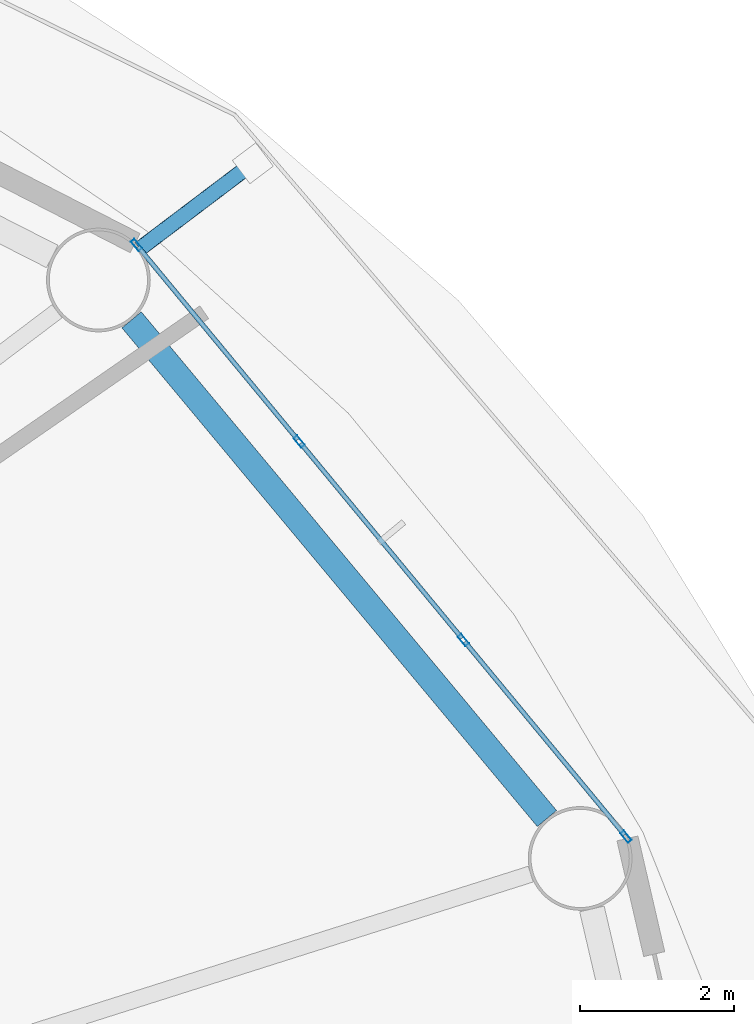
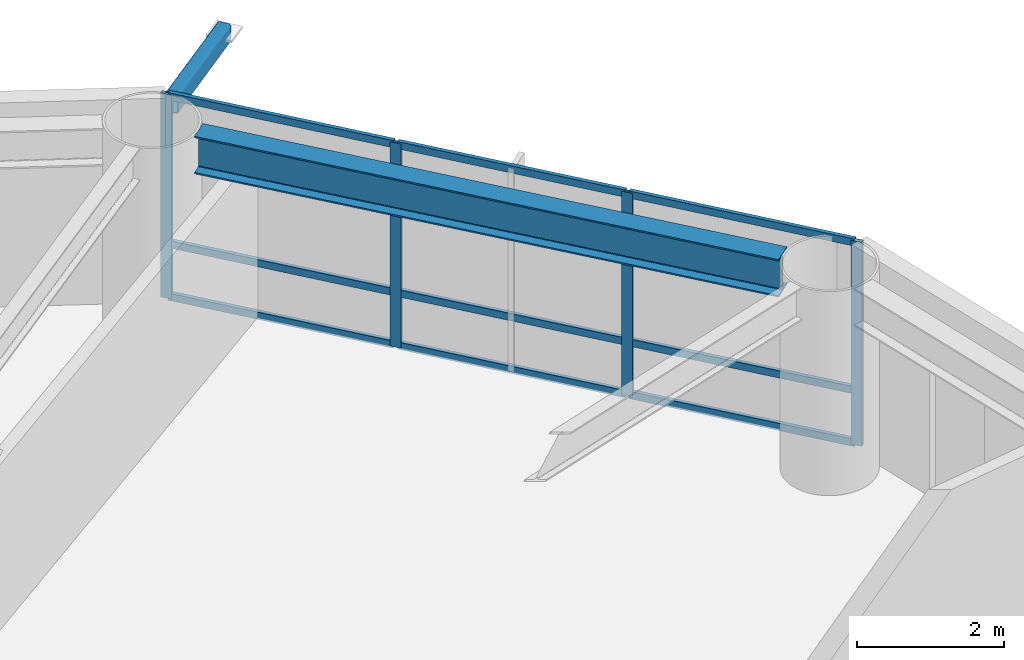
# One storey, part 14 of 26: 14 members, 1 beam, 1 element without a shape of its own.
"""IFC4 building model written with IfcOpenShell, lengths in metres."""

from ifc_helpers import new_model, si_unit, direction, frame, origin, origin_2d, place, context, subcontext, project, spatial, hollow_rectangle, i_section, extrude, material, layer, layer_set, material_profile, profile_set, type_object, element, aggregate, save


model = new_model("IFC4")

# Units and contexts
model_context = context("Model", 3, precision=1e-05, world=origin(), true_north=direction((0.0, 1.0)))
body_context = subcontext(model_context, "Body", "Model", "MODEL_VIEW")
ifc_project = project(units=[si_unit("LENGTHUNIT", "METRE"), si_unit("AREAUNIT", "SQUARE_METRE"), si_unit("VOLUMEUNIT", "CUBIC_METRE"), si_unit("PLANEANGLEUNIT", "RADIAN"), si_unit("MASSUNIT", "GRAM", prefix="KILO")], contexts=[model_context])

# Site, building, storey
site_placement = place(None, origin())
site = spatial("IfcSite", under=ifc_project, at=site_placement, CompositionType="ELEMENT")
building_placement = place(site_placement, origin())
building = spatial("IfcBuilding", under=site, at=building_placement, Name="Sarneth Arch Tower", CompositionType="ELEMENT")
storey_placement = place(building_placement, frame((0.0, 0.0, 60.60009765625)))
storey = spatial("IfcBuildingStorey", under=building, at=storey_placement, Name="L14", CompositionType="ELEMENT", Elevation=60.60009765625)

# Beam
ifc_material_1 = material(Name="Steel S355", Category="steel")
ifc_material_profile_1 = material_profile(ifc_material_1, i_section(OverallWidth=0.326904296875, OverallDepth=0.6220703125, WebThickness=0.015380859375, FlangeThickness=0.0244140625, FilletRadius=0.01904296875, at=origin_2d()), Name="W610x195")
ifc_profile_set_1 = profile_set([ifc_material_profile_1], Name="Steel S355")
beam_type = type_object("IfcBeamType", Name="BM-SPAN-610A", PredefinedType="SPANDREL", material=ifc_profile_set_1)
beam_placement = place(storey_placement, frame((75.533447265625, 51.39697265625, 3.06884765625), z_axis=(-0.639979646835, 0.768391860731, 0.0), x_axis=(-0.768391860731, -0.639979646835, 0.0)))
element("IfcBeam", 1, at=beam_placement, inside=storey, type_object=beam_type, Name="L14 Perimeter spandrel beam 02", PredefinedType="SPANDREL", context=body_context, shape_type="SweptSolid", body=[
    extrude(i_section(OverallWidth=0.326904296875, OverallDepth=0.6220703125, WebThickness=0.015380859375, FlangeThickness=0.0244140625, FilletRadius=0.01904296875, at=origin_2d()), origin(), (0.0, 0.0, 1.0), 8.4453125),
])

# Curtain wall, members
ifc_material_2 = material(Name="Anodised aluminium Type AA25 and solar-control low-e laminated IGU", Category="aluminium")
ifc_layer = layer(ifc_material_2, 0.159912109375)
ifc_layer_set = layer_set([ifc_layer], Name="Anodised aluminium Type AA25 and solar-control low-e laminated IGU")
curtain_wall_type = type_object("IfcCurtainWallType", Name="CW-HOTEL-LOW", PredefinedType="NOTDEFINED", material=ifc_layer_set)
curtain_wall_placement = place(storey_placement, origin())
curtain_wall = element("IfcCurtainWall", 2, at=curtain_wall_placement, inside=storey, type_object=curtain_wall_type, Name="L14 Unitised curtain wall facet 02", PredefinedType="NOTDEFINED")
ifc_material_3 = material(Name="Anodised Aluminium 6063-T6", Category="aluminium")
ifc_material_profile_2 = material_profile(ifc_material_3, hollow_rectangle(XDim=0.06005859375, YDim=0.159912109375, WallThickness=0.00390625, at=origin_2d()), Name="AL-MULL-160x60x4")
ifc_profile_set_2 = profile_set([ifc_material_profile_2], Name="Anodised Aluminium 6063-T6")
member_type_1 = type_object("IfcMemberType", Name="CW-MULLION", PredefinedType="MULLION", material=ifc_profile_set_2)
member_1_placement = place(storey_placement, frame((76.561767578125, 51.16162109375, 0.0), z_axis=(0.0, 0.0, 1.0), x_axis=(-0.770622960278, -0.637291340827, 0.0)))
member_1 = element("IfcMember", 3, at=member_1_placement, type_object=member_type_1, Name="CW-SYS-3 mullion 1", PredefinedType="MULLION", context=body_context, shape_type="SweptSolid", body=[
    extrude(hollow_rectangle(XDim=0.06005859375, YDim=0.159912109375, WallThickness=0.00390625, at=origin_2d()), origin(), (0.0, 0.0, 1.0), 3.3798828125),
])
member_2_placement = place(storey_placement, frame((74.4453125, 53.720947265625, 0.0), z_axis=(0.0, 0.0, 1.0), x_axis=(-0.770622960278, -0.637291340827, 0.0)))
member_2 = element("IfcMember", 4, at=member_2_placement, type_object=member_type_1, Name="CW-SYS-3 mullion 2", PredefinedType="MULLION", context=body_context, shape_type="SweptSolid", body=[
    extrude(hollow_rectangle(XDim=0.06005859375, YDim=0.159912109375, WallThickness=0.00390625, at=origin_2d()), origin(), (0.0, 0.0, 1.0), 3.3798828125),
])
member_3_placement = place(storey_placement, frame((72.309814453125, 56.30322265625, 0.0), z_axis=(0.0, 0.0, 1.0), x_axis=(-0.770622960278, -0.637291340827, 0.0)))
member_3 = element("IfcMember", 5, at=member_3_placement, type_object=member_type_1, Name="CW-SYS-3 mullion 3", PredefinedType="MULLION", context=body_context, shape_type="SweptSolid", body=[
    extrude(hollow_rectangle(XDim=0.06005859375, YDim=0.159912109375, WallThickness=0.00390625, at=origin_2d()), origin(), (0.0, 0.0, 1.0), 3.3798828125),
])
member_4_placement = place(storey_placement, frame((70.193359375, 58.862548828125, 0.0), z_axis=(0.0, 0.0, 1.0), x_axis=(-0.770622960278, -0.637291340827, 0.0)))
member_4 = element("IfcMember", 6, at=member_4_placement, type_object=member_type_1, Name="CW-SYS-3 mullion 4", PredefinedType="MULLION", context=body_context, shape_type="SweptSolid", body=[
    extrude(hollow_rectangle(XDim=0.06005859375, YDim=0.159912109375, WallThickness=0.00390625, at=origin_2d()), origin(), (0.0, 0.0, 1.0), 3.3798828125),
])
ifc_material_4 = material(Name="Anodised Aluminium 6063-T6", Category="aluminium")
ifc_material_profile_3 = material_profile(ifc_material_4, hollow_rectangle(XDim=0.06005859375, YDim=0.1201171875, WallThickness=0.00390625, at=origin_2d()), Name="AL-TRAN-120x60x4")
ifc_profile_set_3 = profile_set([ifc_material_profile_3], Name="Anodised Aluminium 6063-T6")
member_type_2 = type_object("IfcMemberType", Name="CW-TRANSOM", PredefinedType="USERDEFINED", material=ifc_profile_set_3)
member_5_placement = place(storey_placement, frame((76.542724609375, 51.184814453125, 0.02978515625), z_axis=(-0.63733019572, 0.77059082633, 0.0), x_axis=(-0.77059082633, -0.63733019572, 0.0)))
member_5 = element("IfcMember", 7, at=member_5_placement, type_object=member_type_2, Name="CW-SYS-3 transom 1.1", ObjectType="TRANSOM", PredefinedType="USERDEFINED", context=body_context, shape_type="SweptSolid", body=[
    extrude(hollow_rectangle(XDim=0.06005859375, YDim=0.1201171875, WallThickness=0.00390625, at=origin_2d()), origin(), (0.0, 0.0, 1.0), 3.260986328125),
])
member_6_placement = place(storey_placement, frame((76.542724609375, 51.184814453125, 0.89990234375), z_axis=(-0.63733019572, 0.77059082633, 0.0), x_axis=(-0.77059082633, -0.63733019572, 0.0)))
member_6 = element("IfcMember", 8, at=member_6_placement, type_object=member_type_2, Name="CW-SYS-3 transom 1.2", ObjectType="TRANSOM", PredefinedType="USERDEFINED", context=body_context, shape_type="SweptSolid", body=[
    extrude(hollow_rectangle(XDim=0.06005859375, YDim=0.1201171875, WallThickness=0.00390625, at=origin_2d()), origin(), (0.0, 0.0, 1.0), 3.260986328125),
])
member_7_placement = place(storey_placement, frame((76.542724609375, 51.184814453125, 3.349853515625), z_axis=(-0.63733019572, 0.77059082633, 0.0), x_axis=(-0.77059082633, -0.63733019572, 0.0)))
member_7 = element("IfcMember", 9, at=member_7_placement, type_object=member_type_2, Name="CW-SYS-3 transom 1.3", ObjectType="TRANSOM", PredefinedType="USERDEFINED", context=body_context, shape_type="SweptSolid", body=[
    extrude(hollow_rectangle(XDim=0.06005859375, YDim=0.1201171875, WallThickness=0.00390625, at=origin_2d()), origin(), (0.0, 0.0, 1.0), 3.260986328125),
])
member_8_placement = place(storey_placement, frame((74.42626953125, 53.743896484375, 0.02978515625), z_axis=(-0.637268595771, 0.770641769465, 0.0), x_axis=(-0.770641769465, -0.637268595771, 0.0)))
member_8 = element("IfcMember", 10, at=member_8_placement, type_object=member_type_2, Name="CW-SYS-3 transom 2.1", ObjectType="TRANSOM", PredefinedType="USERDEFINED", context=body_context, shape_type="SweptSolid", body=[
    extrude(hollow_rectangle(XDim=0.06005859375, YDim=0.1201171875, WallThickness=0.00390625, at=origin_2d()), origin(), (0.0, 0.0, 1.0), 3.291259765625),
])
member_9_placement = place(storey_placement, frame((74.42626953125, 53.743896484375, 0.89990234375), z_axis=(-0.637268595771, 0.770641769465, 0.0), x_axis=(-0.770641769465, -0.637268595771, 0.0)))
member_9 = element("IfcMember", 11, at=member_9_placement, type_object=member_type_2, Name="CW-SYS-3 transom 2.2", ObjectType="TRANSOM", PredefinedType="USERDEFINED", context=body_context, shape_type="SweptSolid", body=[
    extrude(hollow_rectangle(XDim=0.06005859375, YDim=0.1201171875, WallThickness=0.00390625, at=origin_2d()), origin(), (0.0, 0.0, 1.0), 3.291259765625),
])
member_10_placement = place(storey_placement, frame((74.42626953125, 53.743896484375, 3.349853515625), z_axis=(-0.637268595771, 0.770641769465, 0.0), x_axis=(-0.770641769465, -0.637268595771, 0.0)))
member_10 = element("IfcMember", 12, at=member_10_placement, type_object=member_type_2, Name="CW-SYS-3 transom 2.3", ObjectType="TRANSOM", PredefinedType="USERDEFINED", context=body_context, shape_type="SweptSolid", body=[
    extrude(hollow_rectangle(XDim=0.06005859375, YDim=0.1201171875, WallThickness=0.00390625, at=origin_2d()), origin(), (0.0, 0.0, 1.0), 3.291259765625),
])
member_11_placement = place(storey_placement, frame((72.29052734375, 56.326416015625, 0.02978515625), z_axis=(-0.637285736625, 0.770627594817, 0.0), x_axis=(-0.770627594817, -0.637285736625, 0.0)))
member_11 = element("IfcMember", 13, at=member_11_placement, type_object=member_type_2, Name="CW-SYS-3 transom 3.1", ObjectType="TRANSOM", PredefinedType="USERDEFINED", context=body_context, shape_type="SweptSolid", body=[
    extrude(hollow_rectangle(XDim=0.06005859375, YDim=0.1201171875, WallThickness=0.00390625, at=origin_2d()), origin(), (0.0, 0.0, 1.0), 3.260986328125),
])
member_12_placement = place(storey_placement, frame((72.29052734375, 56.326416015625, 0.89990234375), z_axis=(-0.637285736625, 0.770627594817, 0.0), x_axis=(-0.770627594817, -0.637285736625, 0.0)))
member_12 = element("IfcMember", 14, at=member_12_placement, type_object=member_type_2, Name="CW-SYS-3 transom 3.2", ObjectType="TRANSOM", PredefinedType="USERDEFINED", context=body_context, shape_type="SweptSolid", body=[
    extrude(hollow_rectangle(XDim=0.06005859375, YDim=0.1201171875, WallThickness=0.00390625, at=origin_2d()), origin(), (0.0, 0.0, 1.0), 3.260986328125),
])
member_13_placement = place(storey_placement, frame((72.29052734375, 56.326416015625, 3.349853515625), z_axis=(-0.637285736625, 0.770627594817, 0.0), x_axis=(-0.770627594817, -0.637285736625, 0.0)))
member_13 = element("IfcMember", 15, at=member_13_placement, type_object=member_type_2, Name="CW-SYS-3 transom 3.3", ObjectType="TRANSOM", PredefinedType="USERDEFINED", context=body_context, shape_type="SweptSolid", body=[
    extrude(hollow_rectangle(XDim=0.06005859375, YDim=0.1201171875, WallThickness=0.00390625, at=origin_2d()), origin(), (0.0, 0.0, 1.0), 3.260986328125),
])
aggregate(curtain_wall, [member_1, member_2, member_3, member_4, member_5, member_6, member_7, member_8, member_9, member_10, member_11, member_12, member_13])

# Member
ifc_material_5 = material(Name="Steel S355", Category="steel")
ifc_material_profile_4 = material_profile(ifc_material_5, hollow_rectangle(XDim=0.199951171875, YDim=0.300048828125, WallThickness=0.012451171875, InnerFilletRadius=0.018798828125, OuterFilletRadius=0.03125, at=origin_2d()), Name="RHS300x200x12.5")
ifc_profile_set_4 = profile_set([ifc_material_profile_4], Name="Steel S355")
member_type_3 = type_object("IfcMemberType", Name="MEM-CANT-STRUT", PredefinedType="STRUT", material=ifc_profile_set_4)
member_14_placement = place(storey_placement, frame((70.235107421875, 58.81201171875, 3.219970703125), z_axis=(0.797690399861, 0.60306718197, 0.0), x_axis=(-0.60306718197, 0.797690399861, 0.0)))
element("IfcMember", 16, at=member_14_placement, inside=storey, type_object=member_type_3, Name="L14 Balcony cantilever bracket 03", PredefinedType="STRUT", context=body_context, shape_type="SweptSolid", body=[
    extrude(hollow_rectangle(XDim=0.199951171875, YDim=0.300048828125, WallThickness=0.012451171875, InnerFilletRadius=0.018798828125, OuterFilletRadius=0.03125, at=origin_2d()), origin(), (0.0, 0.0, 1.0), 1.843994140625),
])

save(model, "model.ifc")
